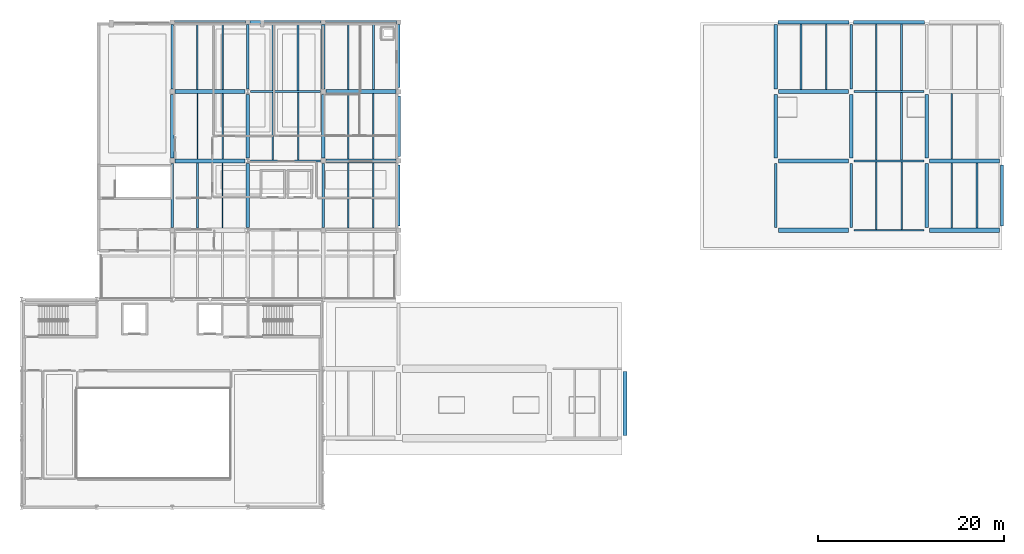
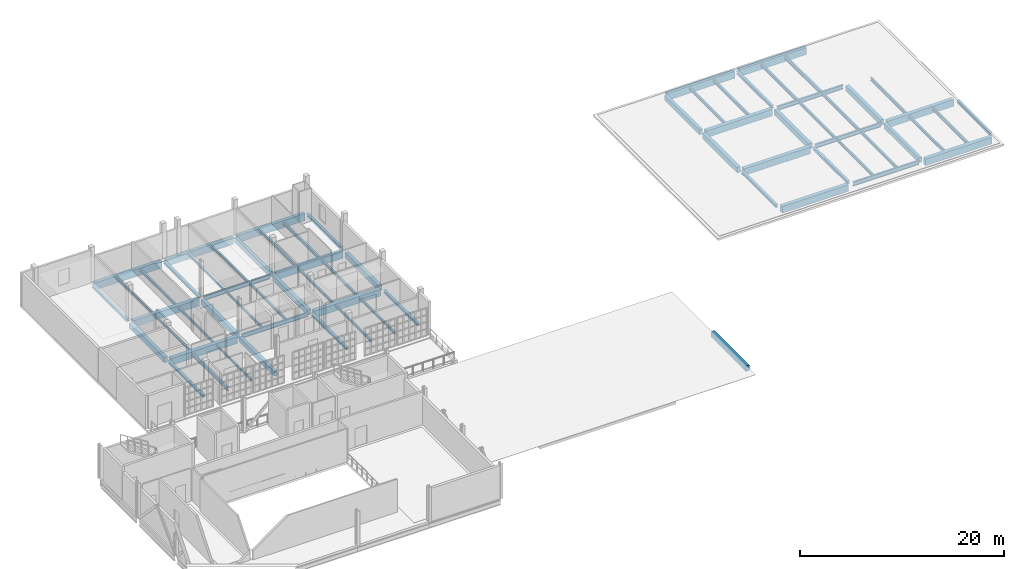
# One storey, part 10 of 25: 68 beams.
"""IFC4 building model written with IfcOpenShell, lengths in metres."""

from ifc_helpers import new_model, si_unit, direction, frame, origin, origin_2d, place, context, subcontext, project, spatial, rectangle, i_section, extrude, material, material_profile, profile_set, type_object, element, save


model = new_model("IFC4")

# Units and contexts
model_context = context("Model", 3, precision=1e-05, world=origin(), true_north=direction((0.0, 1.0)))
body_context = subcontext(model_context, "Body", "Model", "MODEL_VIEW")
ifc_project = project(units=[si_unit("LENGTHUNIT", "METRE"), si_unit("AREAUNIT", "SQUARE_METRE"), si_unit("VOLUMEUNIT", "CUBIC_METRE"), si_unit("PLANEANGLEUNIT", "RADIAN"), si_unit("MASSUNIT", "GRAM", prefix="KILO")], contexts=[model_context])

# Site, building, storey
site_placement = place(None, origin())
site = spatial("IfcSite", under=ifc_project, at=site_placement, CompositionType="ELEMENT")
building_placement = place(site_placement, origin())
building = spatial("IfcBuilding", under=site, at=building_placement, Name="Kaelora Sail Theatre", CompositionType="ELEMENT")
storey_placement = place(building_placement, frame((0.0, 0.0, 19.199951171875)))
storey = spatial("IfcBuildingStorey", under=building, at=storey_placement, Name="L04", CompositionType="ELEMENT", Elevation=19.199951171875)

# Beams
ifc_material_1 = material(Name="Steel S355", Category="steel")
ifc_material_profile_1 = material_profile(ifc_material_1, i_section(OverallWidth=0.300048828125, OverallDepth=0.31005859375, WebThickness=0.009033203125, FlangeThickness=0.015380859375, FilletRadius=0.027099609375, at=origin_2d()), Name="HEA 320")
ifc_profile_set_1 = profile_set([ifc_material_profile_1], Name="Steel S355")
beam_type_1 = type_object("IfcBeamType", Name="STR-BM-BM-HEA320", PredefinedType="BEAM", material=ifc_profile_set_1)
beam_1_placement = place(storey_placement, frame((42.0, 91.080078125, -0.409912109375), z_axis=(0.0, 1.0, 0.0), x_axis=(-1.0, 0.0, 0.0)))
element("IfcBeam", 1, at=beam_1_placement, inside=storey, type_object=beam_type_1, Name="Primary beam 6 M-N (L04)", PredefinedType="BEAM", context=body_context, shape_type="SweptSolid", body=[
    extrude(i_section(OverallWidth=0.300048828125, OverallDepth=0.31005859375, WebThickness=0.009033203125, FlangeThickness=0.015380859375, FilletRadius=0.027099609375, at=origin_2d()), origin(), (0.0, 0.0, 1.0), 6.83984375),
])
for number, where, z_axis, x_axis, name in (
    (2, (42.0, 105.9599609375, -0.409912109375), (0.0, 1.0, 0.0), (-1.0, 0.0, 0.0), "Primary beam 6 O-P (L04)"),
    (3, (50.10009765625, 105.9599609375, -0.409912109375), (0.0, 1.0, 0.0), (-1.0, 0.0, 0.0), "Primary beam 7 O-P (L04)"),
):
    element("IfcBeam", number, at=place(storey_placement, frame(where, z_axis=z_axis, x_axis=x_axis)), inside=storey, type_object=beam_type_1, Name=name, PredefinedType="BEAM", context=body_context, shape_type="SweptSolid", body=[
        extrude(i_section(OverallWidth=0.300048828125, OverallDepth=0.31005859375, WebThickness=0.009033203125, FlangeThickness=0.015380859375, FilletRadius=0.027099609375, at=origin_2d()), origin(), (0.0, 0.0, 1.0), 6.89013671875),
    ])
beam_2_placement = place(storey_placement, frame((58.199951171875, 91.080078125, -0.409912109375), z_axis=(0.0, 1.0, 0.0), x_axis=(-1.0, 0.0, 0.0)))
element("IfcBeam", 4, at=beam_2_placement, inside=storey, type_object=beam_type_1, Name="Primary beam 8 M-N (L04)", PredefinedType="BEAM", context=body_context, shape_type="SweptSolid", body=[
    extrude(i_section(OverallWidth=0.300048828125, OverallDepth=0.31005859375, WebThickness=0.009033203125, FlangeThickness=0.015380859375, FilletRadius=0.027099609375, at=origin_2d()), origin(), (0.0, 0.0, 1.0), 6.83984375),
])
beam_3_placement = place(storey_placement, frame((66.300048828125, 91.22998046875, -0.409912109375), z_axis=(0.0, 1.0, 0.0), x_axis=(-1.0, 0.0, 0.0)))
element("IfcBeam", 5, at=beam_3_placement, inside=storey, type_object=beam_type_1, Name="Primary beam 9 M-N (L04)", PredefinedType="BEAM", context=body_context, shape_type="SweptSolid", body=[
    extrude(i_section(OverallWidth=0.300048828125, OverallDepth=0.31005859375, WebThickness=0.009033203125, FlangeThickness=0.015380859375, FilletRadius=0.027099609375, at=origin_2d()), origin(), (0.0, 0.0, 1.0), 6.5400390625),
])
beam_4_placement = place(storey_placement, frame((66.300048828125, 106.110107421875, -0.409912109375), z_axis=(0.0, 1.0, 0.0), x_axis=(-1.0, 0.0, 0.0)))
element("IfcBeam", 6, at=beam_4_placement, inside=storey, type_object=beam_type_1, Name="Primary beam 9 O-P (L04)", PredefinedType="BEAM", context=body_context, shape_type="SweptSolid", body=[
    extrude(i_section(OverallWidth=0.300048828125, OverallDepth=0.31005859375, WebThickness=0.009033203125, FlangeThickness=0.015380859375, FilletRadius=0.027099609375, at=origin_2d()), origin(), (0.0, 0.0, 1.0), 6.739990234375),
])
for number, where, z_axis, x_axis, name in (
    (7, (106.800048828125, 91.080078125, -0.409912109375), (0.0, 1.0, 0.0), (-1.0, 0.0, 0.0), "Primary beam 14 M-N (L04)"),
    (8, (114.89990234375, 91.080078125, -0.409912109375), (0.0, 1.0, 0.0), (-1.0, 0.0, 0.0), "Primary beam 15 M-N (L04)"),
):
    element("IfcBeam", number, at=place(storey_placement, frame(where, z_axis=z_axis, x_axis=x_axis)), inside=storey, type_object=beam_type_1, Name=name, PredefinedType="BEAM", context=body_context, shape_type="SweptSolid", body=[
        extrude(i_section(OverallWidth=0.300048828125, OverallDepth=0.31005859375, WebThickness=0.009033203125, FlangeThickness=0.015380859375, FilletRadius=0.027099609375, at=origin_2d()), origin(), (0.0, 0.0, 1.0), 6.83984375),
    ])
beam_5_placement = place(storey_placement, frame((114.89990234375, 105.9599609375, -0.409912109375), z_axis=(0.0, 1.0, 0.0), x_axis=(-1.0, 0.0, 0.0)))
element("IfcBeam", 9, at=beam_5_placement, inside=storey, type_object=beam_type_1, Name="Primary beam 15 O-P (L04)", PredefinedType="BEAM", context=body_context, shape_type="SweptSolid", body=[
    extrude(i_section(OverallWidth=0.300048828125, OverallDepth=0.31005859375, WebThickness=0.009033203125, FlangeThickness=0.015380859375, FilletRadius=0.027099609375, at=origin_2d()), origin(), (0.0, 0.0, 1.0), 6.89013671875),
])
beam_6_placement = place(storey_placement, frame((131.10009765625, 91.22998046875, -0.409912109375), z_axis=(0.0, 1.0, 0.0), x_axis=(-1.0, 0.0, 0.0)))
element("IfcBeam", 10, at=beam_6_placement, inside=storey, type_object=beam_type_1, Name="Primary beam 17 M-N (L04)", PredefinedType="BEAM", context=body_context, shape_type="SweptSolid", body=[
    extrude(i_section(OverallWidth=0.300048828125, OverallDepth=0.31005859375, WebThickness=0.009033203125, FlangeThickness=0.015380859375, FilletRadius=0.027099609375, at=origin_2d()), origin(), (0.0, 0.0, 1.0), 6.5400390625),
])
ifc_material_2 = material(Name="Steel S355", Category="steel")
ifc_material_profile_2 = material_profile(ifc_material_2, i_section(OverallWidth=0.18994140625, OverallDepth=0.449951171875, WebThickness=0.009521484375, FlangeThickness=0.0146484375, FilletRadius=0.02099609375, at=origin_2d()), Name="IPE 450")
ifc_profile_set_2 = profile_set([ifc_material_profile_2], Name="Steel S355")
beam_type_2 = type_object("IfcBeamType", Name="STR-BM-BM-IPE450", PredefinedType="BEAM", material=ifc_profile_set_2)
beam_7_placement = place(storey_placement, frame((44.699951171875, 91.0048828125, -0.47998046875), z_axis=(0.0, 1.0, 0.0), x_axis=(-1.0, 0.0, 0.0)))
element("IfcBeam", 11, at=beam_7_placement, inside=storey, type_object=beam_type_2, Name="Secondary floor joist 6/M-1 (L04)", PredefinedType="BEAM", context=body_context, shape_type="SweptSolid", body=[
    extrude(i_section(OverallWidth=0.18994140625, OverallDepth=0.449951171875, WebThickness=0.009521484375, FlangeThickness=0.0146484375, FilletRadius=0.02099609375, at=origin_2d()), origin(), (0.0, 0.0, 1.0), 6.990234375),
])
beam_8_placement = place(storey_placement, frame((120.300048828125, 105.760009765625, -0.47998046875), z_axis=(0.0, 1.0, 0.0), x_axis=(-1.0, 0.0, 0.0)))
element("IfcBeam", 12, at=beam_8_placement, inside=storey, type_object=beam_type_2, Name="Secondary floor joist 15/O-2 (L04)", PredefinedType="BEAM", context=body_context, shape_type="SweptSolid", body=[
    extrude(i_section(OverallWidth=0.18994140625, OverallDepth=0.449951171875, WebThickness=0.009521484375, FlangeThickness=0.0146484375, FilletRadius=0.02099609375, at=origin_2d()), origin(), (0.0, 0.0, 1.0), 7.139892578125),
])
ifc_material_3 = material(Name="Steel S355", Category="steel")
ifc_material_profile_3 = material_profile(ifc_material_3, i_section(OverallWidth=0.199951171875, OverallDepth=0.5, WebThickness=0.01025390625, FlangeThickness=0.01611328125, FilletRadius=0.02099609375, at=origin_2d()), Name="IPE 500")
ifc_profile_set_3 = profile_set([ifc_material_profile_3], Name="Steel S355")
beam_type_3 = type_object("IfcBeamType", Name="STR-BM-BM-IPE500", PredefinedType="BEAM", material=ifc_profile_set_3)
for number, where, z_axis, x_axis, name in (
    (13, (50.39990234375, 98.219970703125, -0.5048828125), (1.0, 0.0, 0.0), (0.0, 1.0, 0.0), "Primary beam N 7-8 (L04)"),
    (14, (50.39990234375, 105.659912109375, -0.5048828125), (1.0, 0.0, 0.0), (0.0, 1.0, 0.0), "Primary beam O 7-8 (L04)"),
    (15, (115.199951171875, 90.780029296875, -0.5048828125), (1.0, 0.0, 0.0), (0.0, 1.0, 0.0), "Primary beam M 15-16 (L04)"),
    (16, (115.199951171875, 98.219970703125, -0.5048828125), (1.0, 0.0, 0.0), (0.0, 1.0, 0.0), "Primary beam N 15-16 (L04)"),
    (17, (115.199951171875, 105.659912109375, -0.5048828125), (1.0, 0.0, 0.0), (0.0, 1.0, 0.0), "Primary beam O 15-16 (L04)"),
):
    element("IfcBeam", number, at=place(storey_placement, frame(where, z_axis=z_axis, x_axis=x_axis)), inside=storey, type_object=beam_type_3, Name=name, PredefinedType="BEAM", context=body_context, shape_type="SweptSolid", body=[
        extrude(i_section(OverallWidth=0.199951171875, OverallDepth=0.5, WebThickness=0.01025390625, FlangeThickness=0.01611328125, FilletRadius=0.02099609375, at=origin_2d()), origin(), (0.0, 0.0, 1.0), 7.5),
    ])
ifc_material_4 = material(Name="Concrete C40/50", Category="concrete")
ifc_material_profile_4 = material_profile(ifc_material_4, rectangle(XDim=0.35009765625, YDim=0.60009765625, at=origin_2d()), Name="RC-BM 350x600")
ifc_profile_set_4 = profile_set([ifc_material_profile_4], Name="Concrete C40/50")
beam_type_4 = type_object("IfcBeamType", Name="STR-BM-BM-RC3560", PredefinedType="BEAM", material=ifc_profile_set_4)
beam_9_placement = place(storey_placement, frame((50.10009765625, 91.080078125, -0.554931640625), z_axis=(0.0, 1.0, 0.0), x_axis=(-1.0, 0.0, 0.0)))
element("IfcBeam", 18, at=beam_9_placement, inside=storey, type_object=beam_type_4, Name="Primary beam 7 M-N (L04)", PredefinedType="BEAM", context=body_context, shape_type="SweptSolid", body=[
    extrude(rectangle(XDim=0.35009765625, YDim=0.60009765625, at=origin_2d()), origin(), (0.0, 0.0, 1.0), 6.83984375),
])
for number, where, z_axis, x_axis, name in (
    (19, (58.199951171875, 105.9599609375, -0.554931640625), (0.0, 1.0, 0.0), (-1.0, 0.0, 0.0), "Primary beam 8 O-P (L04)"),
    (20, (106.800048828125, 105.9599609375, -0.554931640625), (0.0, 1.0, 0.0), (-1.0, 0.0, 0.0), "Primary beam 14 O-P (L04)"),
):
    element("IfcBeam", number, at=place(storey_placement, frame(where, z_axis=z_axis, x_axis=x_axis)), inside=storey, type_object=beam_type_4, Name=name, PredefinedType="BEAM", context=body_context, shape_type="SweptSolid", body=[
        extrude(rectangle(XDim=0.35009765625, YDim=0.60009765625, at=origin_2d()), origin(), (0.0, 0.0, 1.0), 6.89013671875),
    ])
beam_10_placement = place(storey_placement, frame((123.0, 91.080078125, -0.554931640625), z_axis=(0.0, 1.0, 0.0), x_axis=(-1.0, 0.0, 0.0)))
element("IfcBeam", 21, at=beam_10_placement, inside=storey, type_object=beam_type_4, Name="Primary beam 16 M-N (L04)", PredefinedType="BEAM", context=body_context, shape_type="SweptSolid", body=[
    extrude(rectangle(XDim=0.35009765625, YDim=0.60009765625, at=origin_2d()), origin(), (0.0, 0.0, 1.0), 6.83984375),
])
ifc_material_5 = material(Name="Concrete C40/50", Category="concrete")
ifc_material_profile_5 = material_profile(ifc_material_5, rectangle(XDim=0.39990234375, YDim=0.64990234375, at=origin_2d()), Name="RC-BM 400x650")
ifc_profile_set_5 = profile_set([ifc_material_profile_5], Name="Concrete C40/50")
beam_type_5 = type_object("IfcBeamType", Name="STR-BM-BM-RC4065", PredefinedType="BEAM", material=ifc_profile_set_5)
for number, where, z_axis, x_axis, name in (
    (22, (42.0, 98.52001953125, -0.579833984375), (0.0, 1.0, 0.0), (-1.0, 0.0, 0.0), "Primary beam 6 N-O (L04)"),
    (23, (50.10009765625, 98.52001953125, -0.579833984375), (0.0, 1.0, 0.0), (-1.0, 0.0, 0.0), "Primary beam 7 N-O (L04)"),
    (24, (58.199951171875, 98.52001953125, -0.579833984375), (0.0, 1.0, 0.0), (-1.0, 0.0, 0.0), "Primary beam 8 N-O (L04)"),
):
    element("IfcBeam", number, at=place(storey_placement, frame(where, z_axis=z_axis, x_axis=x_axis)), inside=storey, type_object=beam_type_5, Name=name, PredefinedType="BEAM", context=body_context, shape_type="SweptSolid", body=[
        extrude(rectangle(XDim=0.39990234375, YDim=0.64990234375, at=origin_2d()), origin(), (0.0, 0.0, 1.0), 6.840087890625),
    ])
beam_11_placement = place(storey_placement, frame((66.300048828125, 98.669921875, -0.579833984375), z_axis=(0.0, 1.0, 0.0), x_axis=(-1.0, 0.0, 0.0)))
element("IfcBeam", 25, at=beam_11_placement, inside=storey, type_object=beam_type_5, Name="Primary beam 9 N-O (L04)", PredefinedType="BEAM", context=body_context, shape_type="SweptSolid", body=[
    extrude(rectangle(XDim=0.39990234375, YDim=0.64990234375, at=origin_2d()), origin(), (0.0, 0.0, 1.0), 6.5400390625),
])
for number, where, z_axis, x_axis, name in (
    (26, (90.60009765625, 68.760009765625, -0.579833984375), (0.0, 1.0, 0.0), (-1.0, 0.0, 0.0), "Primary beam 12 J-K (L04)"),
    (27, (106.800048828125, 98.52001953125, -0.579833984375), (0.0, 1.0, 0.0), (-1.0, 0.0, 0.0), "Primary beam 14 N-O (L04)"),
    (28, (114.89990234375, 98.52001953125, -0.579833984375), (0.0, 1.0, 0.0), (-1.0, 0.0, 0.0), "Primary beam 15 N-O (L04)"),
    (29, (123.0, 98.52001953125, -0.579833984375), (0.0, 1.0, 0.0), (-1.0, 0.0, 0.0), "Primary beam 16 N-O (L04)"),
):
    element("IfcBeam", number, at=place(storey_placement, frame(where, z_axis=z_axis, x_axis=x_axis)), inside=storey, type_object=beam_type_5, Name=name, PredefinedType="BEAM", context=body_context, shape_type="SweptSolid", body=[
        extrude(rectangle(XDim=0.39990234375, YDim=0.64990234375, at=origin_2d()), origin(), (0.0, 0.0, 1.0), 6.840087890625),
    ])
ifc_material_6 = material(Name="Concrete C45/55", Category="concrete")
ifc_material_profile_6 = material_profile(ifc_material_6, rectangle(XDim=0.449951171875, YDim=0.800048828125, at=origin_2d()), Name="RC-BM 450x800")
ifc_profile_set_6 = profile_set([ifc_material_profile_6], Name="Concrete C45/55")
beam_type_6 = type_object("IfcBeamType", Name="STR-BM-BM-RC4580", PredefinedType="BEAM", material=ifc_profile_set_6)
for number, where, z_axis, x_axis, name in (
    (30, (42.300048828125, 98.219970703125, -0.655029296875), (1.0, 0.0, 0.0), (0.0, 1.0, 0.0), "Primary beam N 6-7 (L04)"),
    (31, (42.300048828125, 105.659912109375, -0.655029296875), (1.0, 0.0, 0.0), (0.0, 1.0, 0.0), "Primary beam O 6-7 (L04)"),
    (32, (58.5, 98.219970703125, -0.655029296875), (1.0, 0.0, 0.0), (0.0, 1.0, 0.0), "Primary beam N 8-9 (L04)"),
    (33, (58.5, 105.659912109375, -0.655029296875), (1.0, 0.0, 0.0), (0.0, 1.0, 0.0), "Primary beam O 8-9 (L04)"),
    (34, (107.10009765625, 90.780029296875, -0.655029296875), (1.0, 0.0, 0.0), (0.0, 1.0, 0.0), "Primary beam M 14-15 (L04)"),
    (35, (107.10009765625, 98.219970703125, -0.655029296875), (1.0, 0.0, 0.0), (0.0, 1.0, 0.0), "Primary beam N 14-15 (L04)"),
    (36, (107.10009765625, 105.659912109375, -0.655029296875), (1.0, 0.0, 0.0), (0.0, 1.0, 0.0), "Primary beam O 14-15 (L04)"),
    (37, (123.300048828125, 90.780029296875, -0.655029296875), (1.0, 0.0, 0.0), (0.0, 1.0, 0.0), "Primary beam M 16-17 (L04)"),
    (38, (123.300048828125, 98.219970703125, -0.655029296875), (1.0, 0.0, 0.0), (0.0, 1.0, 0.0), "Primary beam N 16-17 (L04)"),
):
    element("IfcBeam", number, at=place(storey_placement, frame(where, z_axis=z_axis, x_axis=x_axis)), inside=storey, type_object=beam_type_6, Name=name, PredefinedType="BEAM", context=body_context, shape_type="SweptSolid", body=[
        extrude(rectangle(XDim=0.449951171875, YDim=0.800048828125, at=origin_2d()), origin(), (0.0, 0.0, 1.0), 7.5),
    ])
ifc_material_7 = material(Name="Steel S355", Category="steel")
ifc_material_profile_7 = material_profile(ifc_material_7, i_section(OverallWidth=0.135009765625, OverallDepth=0.27001953125, WebThickness=0.006591796875, FlangeThickness=0.01025390625, FilletRadius=0.014892578125, at=origin_2d()), Name="IPE 270")
ifc_profile_set_7 = profile_set([ifc_material_profile_7], Name="Steel S355")
beam_type_7 = type_object("IfcBeamType", Name="STR-BM-JS-IPE270", PredefinedType="JOIST", material=ifc_profile_set_7)
beam_12_placement = place(storey_placement, frame((47.39990234375, 91.0048828125, -0.389892578125), z_axis=(0.0, 1.0, 0.0), x_axis=(-1.0, 0.0, 0.0)))
element("IfcBeam", 39, at=beam_12_placement, inside=storey, type_object=beam_type_7, Name="Secondary floor joist 6/M-2 (L04)", PredefinedType="JOIST", context=body_context, shape_type="SweptSolid", body=[
    extrude(i_section(OverallWidth=0.135009765625, OverallDepth=0.27001953125, WebThickness=0.006591796875, FlangeThickness=0.01025390625, FilletRadius=0.014892578125, at=origin_2d()), origin(), (0.0, 0.0, 1.0), 6.990234375),
])
beam_13_placement = place(storey_placement, frame((44.699951171875, 98.445068359375, -0.389892578125), z_axis=(0.0, 1.0, 0.0), x_axis=(-1.0, 0.0, 0.0)))
element("IfcBeam", 40, at=beam_13_placement, inside=storey, type_object=beam_type_7, Name="Secondary floor joist 6/N-1 (L04)", PredefinedType="JOIST", context=body_context, shape_type="SweptSolid", body=[
    extrude(i_section(OverallWidth=0.135009765625, OverallDepth=0.27001953125, WebThickness=0.006591796875, FlangeThickness=0.01025390625, FilletRadius=0.014892578125, at=origin_2d()), origin(), (0.0, 0.0, 1.0), 6.989990234375),
])
ifc_material_8 = material(Name="Steel S355", Category="steel")
ifc_material_profile_8 = material_profile(ifc_material_8, i_section(OverallWidth=0.14990234375, OverallDepth=0.300048828125, WebThickness=0.007080078125, FlangeThickness=0.0107421875, FilletRadius=0.014892578125, at=origin_2d()), Name="IPE 300")
ifc_profile_set_8 = profile_set([ifc_material_profile_8], Name="Steel S355")
beam_type_8 = type_object("IfcBeamType", Name="STR-BM-JS-IPE300", PredefinedType="JOIST", material=ifc_profile_set_8)
beam_14_placement = place(storey_placement, frame((47.39990234375, 98.445068359375, -0.405029296875), z_axis=(0.0, 1.0, 0.0), x_axis=(-1.0, 0.0, 0.0)))
element("IfcBeam", 41, at=beam_14_placement, inside=storey, type_object=beam_type_8, Name="Secondary floor joist 6/N-2 (L04)", PredefinedType="JOIST", context=body_context, shape_type="SweptSolid", body=[
    extrude(i_section(OverallWidth=0.14990234375, OverallDepth=0.300048828125, WebThickness=0.007080078125, FlangeThickness=0.0107421875, FilletRadius=0.014892578125, at=origin_2d()), origin(), (0.0, 0.0, 1.0), 6.989990234375),
])
beam_15_placement = place(storey_placement, frame((44.699951171875, 105.885009765625, -0.405029296875), z_axis=(0.0, 1.0, 0.0), x_axis=(-1.0, 0.0, 0.0)))
element("IfcBeam", 42, at=beam_15_placement, inside=storey, type_object=beam_type_8, Name="Secondary floor joist 6/O-1 (L04)", PredefinedType="JOIST", context=body_context, shape_type="SweptSolid", body=[
    extrude(i_section(OverallWidth=0.14990234375, OverallDepth=0.300048828125, WebThickness=0.007080078125, FlangeThickness=0.0107421875, FilletRadius=0.014892578125, at=origin_2d()), origin(), (0.0, 0.0, 1.0), 7.014892578125),
])
beam_16_placement = place(storey_placement, frame((52.800048828125, 98.320068359375, -0.405029296875), z_axis=(0.0, 1.0, 0.0), x_axis=(-1.0, 0.0, 0.0)))
element("IfcBeam", 43, at=beam_16_placement, inside=storey, type_object=beam_type_8, Name="Secondary floor joist 7/N-1 (L04)", PredefinedType="JOIST", context=body_context, shape_type="SweptSolid", body=[
    extrude(i_section(OverallWidth=0.14990234375, OverallDepth=0.300048828125, WebThickness=0.007080078125, FlangeThickness=0.0107421875, FilletRadius=0.014892578125, at=origin_2d()), origin(), (0.0, 0.0, 1.0), 7.239990234375),
])
beam_17_placement = place(storey_placement, frame((60.89990234375, 91.0048828125, -0.405029296875), z_axis=(0.0, 1.0, 0.0), x_axis=(-1.0, 0.0, 0.0)))
element("IfcBeam", 44, at=beam_17_placement, inside=storey, type_object=beam_type_8, Name="Secondary floor joist 8/M-1 (L04)", PredefinedType="JOIST", context=body_context, shape_type="SweptSolid", body=[
    extrude(i_section(OverallWidth=0.14990234375, OverallDepth=0.300048828125, WebThickness=0.007080078125, FlangeThickness=0.0107421875, FilletRadius=0.014892578125, at=origin_2d()), origin(), (0.0, 0.0, 1.0), 6.990234375),
])
ifc_material_9 = material(Name="Steel S355", Category="steel")
ifc_material_profile_9 = material_profile(ifc_material_9, i_section(OverallWidth=0.159912109375, OverallDepth=0.330078125, WebThickness=0.007568359375, FlangeThickness=0.011474609375, FilletRadius=0.01806640625, at=origin_2d()), Name="IPE 330")
ifc_profile_set_9 = profile_set([ifc_material_profile_9], Name="Steel S355")
beam_type_9 = type_object("IfcBeamType", Name="STR-BM-JS-IPE330", PredefinedType="JOIST", material=ifc_profile_set_9)
beam_18_placement = place(storey_placement, frame((47.39990234375, 105.885009765625, -0.419921875), z_axis=(0.0, 1.0, 0.0), x_axis=(-1.0, 0.0, 0.0)))
element("IfcBeam", 45, at=beam_18_placement, inside=storey, type_object=beam_type_9, Name="Secondary floor joist 6/O-2 (L04)", PredefinedType="JOIST", context=body_context, shape_type="SweptSolid", body=[
    extrude(i_section(OverallWidth=0.159912109375, OverallDepth=0.330078125, WebThickness=0.007568359375, FlangeThickness=0.011474609375, FilletRadius=0.01806640625, at=origin_2d()), origin(), (0.0, 0.0, 1.0), 7.014892578125),
])
beam_19_placement = place(storey_placement, frame((55.5, 98.320068359375, -0.419921875), z_axis=(0.0, 1.0, 0.0), x_axis=(-1.0, 0.0, 0.0)))
element("IfcBeam", 46, at=beam_19_placement, inside=storey, type_object=beam_type_9, Name="Secondary floor joist 7/N-2 (L04)", PredefinedType="JOIST", context=body_context, shape_type="SweptSolid", body=[
    extrude(i_section(OverallWidth=0.159912109375, OverallDepth=0.330078125, WebThickness=0.007568359375, FlangeThickness=0.011474609375, FilletRadius=0.01806640625, at=origin_2d()), origin(), (0.0, 0.0, 1.0), 7.239990234375),
])
beam_20_placement = place(storey_placement, frame((52.800048828125, 105.760009765625, -0.419921875), z_axis=(0.0, 1.0, 0.0), x_axis=(-1.0, 0.0, 0.0)))
element("IfcBeam", 47, at=beam_20_placement, inside=storey, type_object=beam_type_9, Name="Secondary floor joist 7/O-1 (L04)", PredefinedType="JOIST", context=body_context, shape_type="SweptSolid", body=[
    extrude(i_section(OverallWidth=0.159912109375, OverallDepth=0.330078125, WebThickness=0.007568359375, FlangeThickness=0.011474609375, FilletRadius=0.01806640625, at=origin_2d()), origin(), (0.0, 0.0, 1.0), 7.139892578125),
])
beam_21_placement = place(storey_placement, frame((63.60009765625, 91.0048828125, -0.419921875), z_axis=(0.0, 1.0, 0.0), x_axis=(-1.0, 0.0, 0.0)))
element("IfcBeam", 48, at=beam_21_placement, inside=storey, type_object=beam_type_9, Name="Secondary floor joist 8/M-2 (L04)", PredefinedType="JOIST", context=body_context, shape_type="SweptSolid", body=[
    extrude(i_section(OverallWidth=0.159912109375, OverallDepth=0.330078125, WebThickness=0.007568359375, FlangeThickness=0.011474609375, FilletRadius=0.01806640625, at=origin_2d()), origin(), (0.0, 0.0, 1.0), 6.990234375),
])
beam_22_placement = place(storey_placement, frame((60.89990234375, 98.445068359375, -0.419921875), z_axis=(0.0, 1.0, 0.0), x_axis=(-1.0, 0.0, 0.0)))
element("IfcBeam", 49, at=beam_22_placement, inside=storey, type_object=beam_type_9, Name="Secondary floor joist 8/N-1 (L04)", PredefinedType="JOIST", context=body_context, shape_type="SweptSolid", body=[
    extrude(i_section(OverallWidth=0.159912109375, OverallDepth=0.330078125, WebThickness=0.007568359375, FlangeThickness=0.011474609375, FilletRadius=0.01806640625, at=origin_2d()), origin(), (0.0, 0.0, 1.0), 6.989990234375),
])
beam_23_placement = place(storey_placement, frame((117.60009765625, 90.8798828125, -0.419921875), z_axis=(0.0, 1.0, 0.0), x_axis=(-1.0, 0.0, 0.0)))
element("IfcBeam", 50, at=beam_23_placement, inside=storey, type_object=beam_type_9, Name="Secondary floor joist 15/M-1 (L04)", PredefinedType="JOIST", context=body_context, shape_type="SweptSolid", body=[
    extrude(i_section(OverallWidth=0.159912109375, OverallDepth=0.330078125, WebThickness=0.007568359375, FlangeThickness=0.011474609375, FilletRadius=0.01806640625, at=origin_2d()), origin(), (0.0, 0.0, 1.0), 7.240234375),
])
ifc_material_10 = material(Name="Steel S355", Category="steel")
ifc_material_profile_10 = material_profile(ifc_material_10, i_section(OverallWidth=0.169921875, OverallDepth=0.360107421875, WebThickness=0.008056640625, FlangeThickness=0.0126953125, FilletRadius=0.01806640625, at=origin_2d()), Name="IPE 360")
ifc_profile_set_10 = profile_set([ifc_material_profile_10], Name="Steel S355")
beam_type_10 = type_object("IfcBeamType", Name="STR-BM-JS-IPE360", PredefinedType="JOIST", material=ifc_profile_set_10)
beam_24_placement = place(storey_placement, frame((55.5, 105.760009765625, -0.43505859375), z_axis=(0.0, 1.0, 0.0), x_axis=(-1.0, 0.0, 0.0)))
element("IfcBeam", 51, at=beam_24_placement, inside=storey, type_object=beam_type_10, Name="Secondary floor joist 7/O-2 (L04)", PredefinedType="JOIST", context=body_context, shape_type="SweptSolid", body=[
    extrude(i_section(OverallWidth=0.169921875, OverallDepth=0.360107421875, WebThickness=0.008056640625, FlangeThickness=0.0126953125, FilletRadius=0.01806640625, at=origin_2d()), origin(), (0.0, 0.0, 1.0), 7.139892578125),
])
beam_25_placement = place(storey_placement, frame((63.60009765625, 98.445068359375, -0.43505859375), z_axis=(0.0, 1.0, 0.0), x_axis=(-1.0, 0.0, 0.0)))
element("IfcBeam", 52, at=beam_25_placement, inside=storey, type_object=beam_type_10, Name="Secondary floor joist 8/N-2 (L04)", PredefinedType="JOIST", context=body_context, shape_type="SweptSolid", body=[
    extrude(i_section(OverallWidth=0.169921875, OverallDepth=0.360107421875, WebThickness=0.008056640625, FlangeThickness=0.0126953125, FilletRadius=0.01806640625, at=origin_2d()), origin(), (0.0, 0.0, 1.0), 6.989990234375),
])
for number, where, z_axis, x_axis, name in (
    (53, (60.89990234375, 105.885009765625, -0.43505859375), (0.0, 1.0, 0.0), (-1.0, 0.0, 0.0), "Secondary floor joist 8/O-1 (L04)"),
    (54, (109.5, 105.885009765625, -0.43505859375), (0.0, 1.0, 0.0), (-1.0, 0.0, 0.0), "Secondary floor joist 14/O-1 (L04)"),
):
    element("IfcBeam", number, at=place(storey_placement, frame(where, z_axis=z_axis, x_axis=x_axis)), inside=storey, type_object=beam_type_10, Name=name, PredefinedType="JOIST", context=body_context, shape_type="SweptSolid", body=[
        extrude(i_section(OverallWidth=0.169921875, OverallDepth=0.360107421875, WebThickness=0.008056640625, FlangeThickness=0.0126953125, FilletRadius=0.01806640625, at=origin_2d()), origin(), (0.0, 0.0, 1.0), 7.014892578125),
    ])
beam_26_placement = place(storey_placement, frame((120.300048828125, 90.8798828125, -0.43505859375), z_axis=(0.0, 1.0, 0.0), x_axis=(-1.0, 0.0, 0.0)))
element("IfcBeam", 55, at=beam_26_placement, inside=storey, type_object=beam_type_10, Name="Secondary floor joist 15/M-2 (L04)", PredefinedType="JOIST", context=body_context, shape_type="SweptSolid", body=[
    extrude(i_section(OverallWidth=0.169921875, OverallDepth=0.360107421875, WebThickness=0.008056640625, FlangeThickness=0.0126953125, FilletRadius=0.01806640625, at=origin_2d()), origin(), (0.0, 0.0, 1.0), 7.240234375),
])
beam_27_placement = place(storey_placement, frame((117.60009765625, 98.320068359375, -0.43505859375), z_axis=(0.0, 1.0, 0.0), x_axis=(-1.0, 0.0, 0.0)))
element("IfcBeam", 56, at=beam_27_placement, inside=storey, type_object=beam_type_10, Name="Secondary floor joist 15/N-1 (L04)", PredefinedType="JOIST", context=body_context, shape_type="SweptSolid", body=[
    extrude(i_section(OverallWidth=0.169921875, OverallDepth=0.360107421875, WebThickness=0.008056640625, FlangeThickness=0.0126953125, FilletRadius=0.01806640625, at=origin_2d()), origin(), (0.0, 0.0, 1.0), 7.239990234375),
])
beam_28_placement = place(storey_placement, frame((125.699951171875, 91.0048828125, -0.43505859375), z_axis=(0.0, 1.0, 0.0), x_axis=(-1.0, 0.0, 0.0)))
element("IfcBeam", 57, at=beam_28_placement, inside=storey, type_object=beam_type_10, Name="Secondary floor joist 16/M-1 (L04)", PredefinedType="JOIST", context=body_context, shape_type="SweptSolid", body=[
    extrude(i_section(OverallWidth=0.169921875, OverallDepth=0.360107421875, WebThickness=0.008056640625, FlangeThickness=0.0126953125, FilletRadius=0.01806640625, at=origin_2d()), origin(), (0.0, 0.0, 1.0), 6.990234375),
])
ifc_material_11 = material(Name="Steel S355", Category="steel")
ifc_material_profile_11 = material_profile(ifc_material_11, i_section(OverallWidth=0.179931640625, OverallDepth=0.39990234375, WebThickness=0.008544921875, FlangeThickness=0.013427734375, FilletRadius=0.02099609375, at=origin_2d()), Name="IPE 400")
ifc_profile_set_11 = profile_set([ifc_material_profile_11], Name="Steel S355")
beam_type_11 = type_object("IfcBeamType", Name="STR-BM-JS-IPE400", PredefinedType="JOIST", material=ifc_profile_set_11)
for number, where, z_axis, x_axis, name in (
    (58, (63.60009765625, 105.885009765625, -0.454833984375), (0.0, 1.0, 0.0), (-1.0, 0.0, 0.0), "Secondary floor joist 8/O-2 (L04)"),
    (59, (112.199951171875, 105.885009765625, -0.454833984375), (0.0, 1.0, 0.0), (-1.0, 0.0, 0.0), "Secondary floor joist 14/O-2 (L04)"),
):
    element("IfcBeam", number, at=place(storey_placement, frame(where, z_axis=z_axis, x_axis=x_axis)), inside=storey, type_object=beam_type_11, Name=name, PredefinedType="JOIST", context=body_context, shape_type="SweptSolid", body=[
        extrude(i_section(OverallWidth=0.179931640625, OverallDepth=0.39990234375, WebThickness=0.008544921875, FlangeThickness=0.013427734375, FilletRadius=0.02099609375, at=origin_2d()), origin(), (0.0, 0.0, 1.0), 7.014892578125),
    ])
beam_29_placement = place(storey_placement, frame((120.300048828125, 98.320068359375, -0.454833984375), z_axis=(0.0, 1.0, 0.0), x_axis=(-1.0, 0.0, 0.0)))
element("IfcBeam", 60, at=beam_29_placement, inside=storey, type_object=beam_type_11, Name="Secondary floor joist 15/N-2 (L04)", PredefinedType="JOIST", context=body_context, shape_type="SweptSolid", body=[
    extrude(i_section(OverallWidth=0.179931640625, OverallDepth=0.39990234375, WebThickness=0.008544921875, FlangeThickness=0.013427734375, FilletRadius=0.02099609375, at=origin_2d()), origin(), (0.0, 0.0, 1.0), 7.239990234375),
])
beam_30_placement = place(storey_placement, frame((117.60009765625, 105.760009765625, -0.454833984375), z_axis=(0.0, 1.0, 0.0), x_axis=(-1.0, 0.0, 0.0)))
element("IfcBeam", 61, at=beam_30_placement, inside=storey, type_object=beam_type_11, Name="Secondary floor joist 15/O-1 (L04)", PredefinedType="JOIST", context=body_context, shape_type="SweptSolid", body=[
    extrude(i_section(OverallWidth=0.179931640625, OverallDepth=0.39990234375, WebThickness=0.008544921875, FlangeThickness=0.013427734375, FilletRadius=0.02099609375, at=origin_2d()), origin(), (0.0, 0.0, 1.0), 7.139892578125),
])
beam_31_placement = place(storey_placement, frame((128.39990234375, 91.0048828125, -0.454833984375), z_axis=(0.0, 1.0, 0.0), x_axis=(-1.0, 0.0, 0.0)))
element("IfcBeam", 62, at=beam_31_placement, inside=storey, type_object=beam_type_11, Name="Secondary floor joist 16/M-2 (L04)", PredefinedType="JOIST", context=body_context, shape_type="SweptSolid", body=[
    extrude(i_section(OverallWidth=0.179931640625, OverallDepth=0.39990234375, WebThickness=0.008544921875, FlangeThickness=0.013427734375, FilletRadius=0.02099609375, at=origin_2d()), origin(), (0.0, 0.0, 1.0), 6.990234375),
])
beam_32_placement = place(storey_placement, frame((125.699951171875, 98.445068359375, -0.454833984375), z_axis=(0.0, 1.0, 0.0), x_axis=(-1.0, 0.0, 0.0)))
element("IfcBeam", 63, at=beam_32_placement, inside=storey, type_object=beam_type_11, Name="Secondary floor joist 16/N-1 (L04)", PredefinedType="JOIST", context=body_context, shape_type="SweptSolid", body=[
    extrude(i_section(OverallWidth=0.179931640625, OverallDepth=0.39990234375, WebThickness=0.008544921875, FlangeThickness=0.013427734375, FilletRadius=0.02099609375, at=origin_2d()), origin(), (0.0, 0.0, 1.0), 6.989990234375),
])
ifc_material_12 = material(Name="Concrete C45/55", Category="concrete")
ifc_material_profile_12 = material_profile(ifc_material_12, rectangle(XDim=0.39990234375, YDim=0.85009765625, at=origin_2d()), Name="RC-SPN 400x850")
ifc_profile_set_12 = profile_set([ifc_material_profile_12], Name="Concrete C45/55")
beam_type_12 = type_object("IfcBeamType", Name="STR-BM-SP-RC4085", PredefinedType="SPANDREL", material=ifc_profile_set_12)
beam_33_placement = place(storey_placement, frame((42.25, 113.10009765625, -0.679931640625), z_axis=(1.0, 0.0, 0.0), x_axis=(0.0, 1.0, 0.0)))
element("IfcBeam", 64, at=beam_33_placement, inside=storey, type_object=beam_type_12, Name="Primary beam P 6-7 (L04)", PredefinedType="SPANDREL", context=body_context, shape_type="SweptSolid", body=[
    extrude(rectangle(XDim=0.39990234375, YDim=0.85009765625, at=origin_2d()), origin(), (0.0, 0.0, 1.0), 7.60009765625),
])
beam_34_placement = place(storey_placement, frame((50.35009765625, 113.10009765625, -0.679931640625), z_axis=(1.0, 0.0, 0.0), x_axis=(0.0, 1.0, 0.0)))
element("IfcBeam", 65, at=beam_34_placement, inside=storey, type_object=beam_type_12, Name="Primary beam P 7-8 (L04)", PredefinedType="SPANDREL", context=body_context, shape_type="SweptSolid", body=[
    extrude(rectangle(XDim=0.39990234375, YDim=0.85009765625, at=origin_2d()), origin(), (0.0, 0.0, 1.0), 7.599853515625),
])
beam_35_placement = place(storey_placement, frame((58.449951171875, 113.10009765625, -0.679931640625), z_axis=(1.0, 0.0, 0.0), x_axis=(0.0, 1.0, 0.0)))
element("IfcBeam", 66, at=beam_35_placement, inside=storey, type_object=beam_type_12, Name="Primary beam P 8-9 (L04)", PredefinedType="SPANDREL", context=body_context, shape_type="SweptSolid", body=[
    extrude(rectangle(XDim=0.39990234375, YDim=0.85009765625, at=origin_2d()), origin(), (0.0, 0.0, 1.0), 7.60009765625),
])
beam_36_placement = place(storey_placement, frame((107.050048828125, 113.10009765625, -0.679931640625), z_axis=(1.0, 0.0, 0.0), x_axis=(0.0, 1.0, 0.0)))
element("IfcBeam", 67, at=beam_36_placement, inside=storey, type_object=beam_type_12, Name="Primary beam P 14-15 (L04)", PredefinedType="SPANDREL", context=body_context, shape_type="SweptSolid", body=[
    extrude(rectangle(XDim=0.39990234375, YDim=0.85009765625, at=origin_2d()), origin(), (0.0, 0.0, 1.0), 7.599853515625),
])
beam_37_placement = place(storey_placement, frame((115.14990234375, 113.10009765625, -0.679931640625), z_axis=(1.0, 0.0, 0.0), x_axis=(0.0, 1.0, 0.0)))
element("IfcBeam", 68, at=beam_37_placement, inside=storey, type_object=beam_type_12, Name="Primary beam P 15-16 (L04)", PredefinedType="SPANDREL", context=body_context, shape_type="SweptSolid", body=[
    extrude(rectangle(XDim=0.39990234375, YDim=0.85009765625, at=origin_2d()), origin(), (0.0, 0.0, 1.0), 7.60009765625),
])

save(model, "model.ifc")
